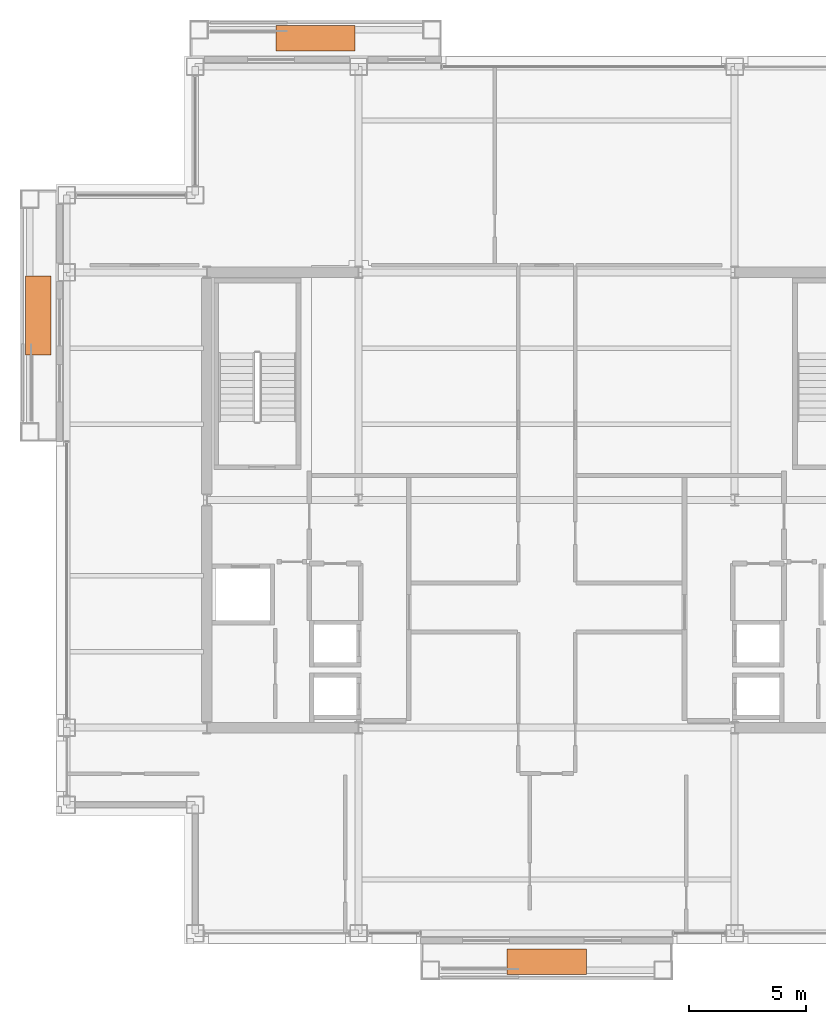
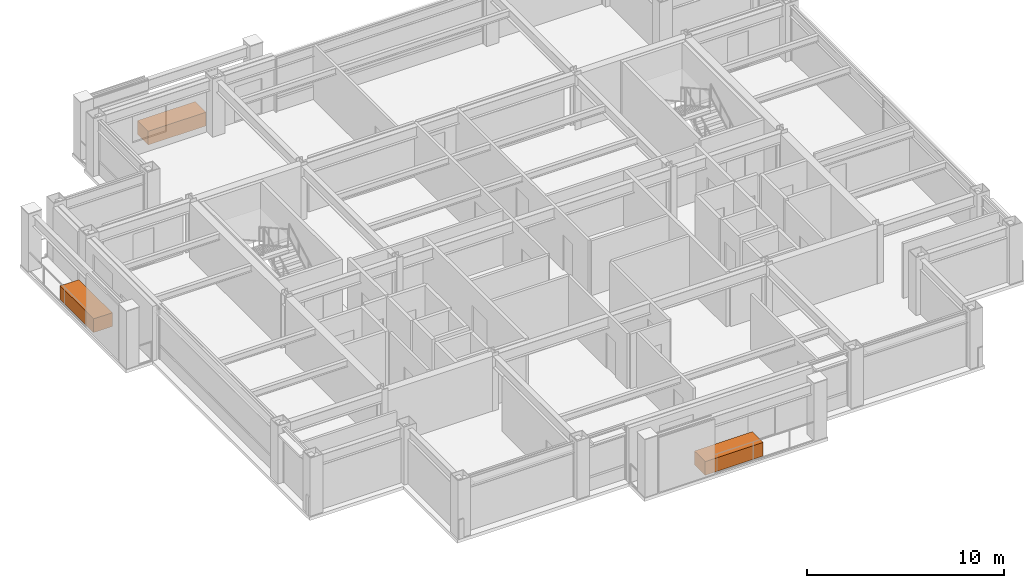
# One storey, part 27 of 27: 3 proxies.
"""IFC4 building model written with IfcOpenShell, lengths in metres."""

from ifc_helpers import new_model, si_unit, direction, frame, origin, origin_2d, place, context, subcontext, project, spatial, rectangle, extrude, material, type_object, element, save


model = new_model("IFC4")

# Units and contexts
model_context = context("Model", 3, precision=1e-05, world=origin(), true_north=direction((0.0, 1.0)))
body_context = subcontext(model_context, "Body", "Model", "MODEL_VIEW")
ifc_project = project(units=[si_unit("LENGTHUNIT", "METRE"), si_unit("AREAUNIT", "SQUARE_METRE"), si_unit("VOLUMEUNIT", "CUBIC_METRE"), si_unit("PLANEANGLEUNIT", "RADIAN"), si_unit("MASSUNIT", "GRAM", prefix="KILO")], contexts=[model_context])

# Site, building, storey
site_placement = place(None, origin())
site = spatial("IfcSite", under=ifc_project, at=site_placement, CompositionType="ELEMENT")
building_placement = place(site_placement, origin())
building = spatial("IfcBuilding", under=site, at=building_placement, Name="Brelmoor Portico Tower", CompositionType="ELEMENT")
storey_placement = place(building_placement, frame((0.0, 0.0, 158.699951171875)))
storey = spatial("IfcBuildingStorey", under=building, at=storey_placement, Name="L41", CompositionType="ELEMENT", Elevation=158.699951171875)

# Proxies
ifc_material = material(Name="Architectural Precast Concrete C40", Category="concrete")
building_element_proxy_type = type_object("IfcBuildingElementProxyType", Name="TREE PLANTER", PredefinedType="USERDEFINED", material=ifc_material)
for number, where, z_axis, x_axis, name in (
    (1, (0.0, -19.77490234375, 0.0), (0.0, 0.0, 1.0), (1.0, 0.0, 0.0), "L41 Planted Tree Planter S"),
    (2, (-9.89990234375, 19.77490234375, 0.0), (0.0, 0.0, 1.0), (1.0, 0.0, 0.0), "L41 Planted Tree Planter N"),
    (3, (-21.77490234375, 7.89990234375, 0.0), (0.0, 0.0, 1.0), (0.0, 1.0, 0.0), "L41 Planted Tree Planter W"),
):
    element("IfcBuildingElementProxy", number, at=place(storey_placement, frame(where, z_axis=z_axis, x_axis=x_axis)), inside=storey, type_object=building_element_proxy_type, Name=name, ObjectType="PLANTER", PredefinedType="USERDEFINED", context=body_context, shape_type="SweptSolid", body=[
        extrude(rectangle(XDim=3.39990234375, YDim=1.10009765625, at=origin_2d()), origin(), (0.0, 0.0, 1.0), 0.85009765625),
    ])

save(model, "model.ifc")
